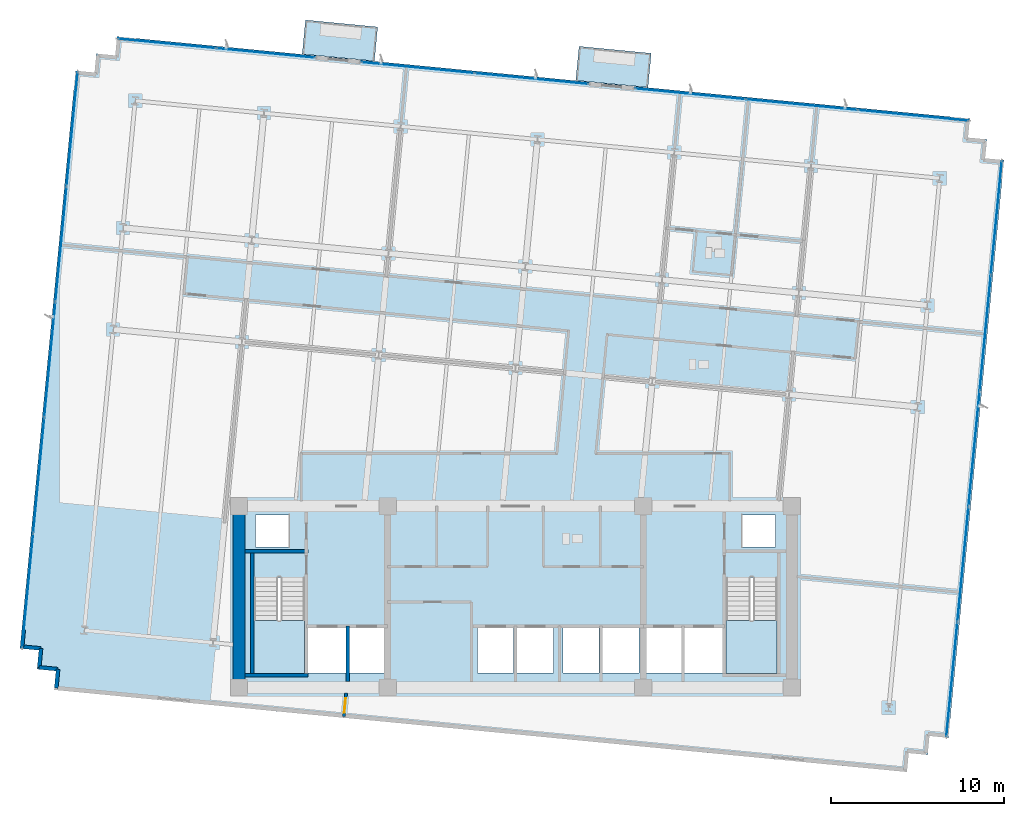
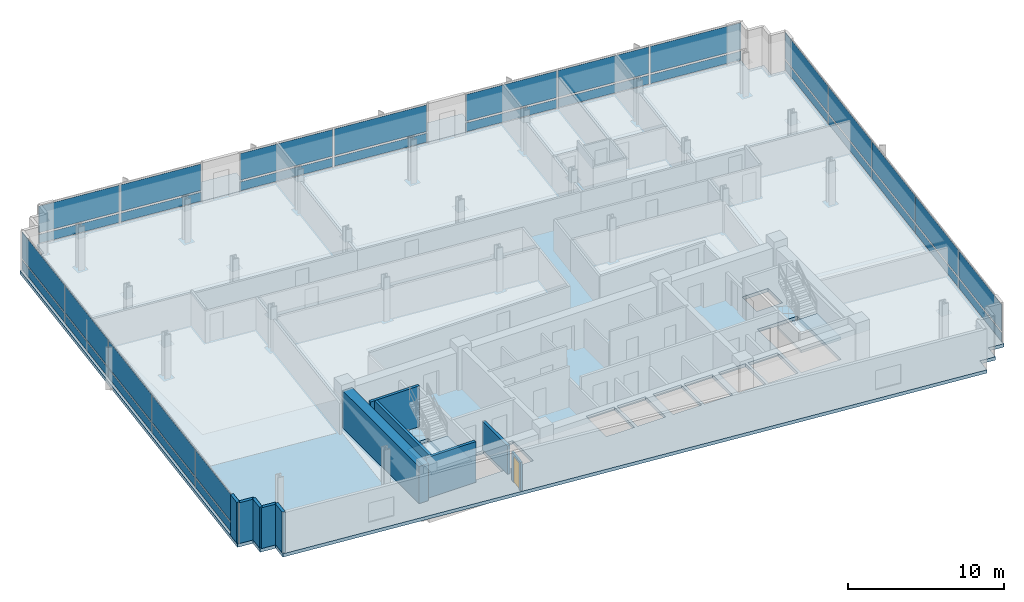
# One storey, part 9 of 16: 34 plates, 11 walls, 5 slabs, 1 door, 1 opening, 7 elements without a shape of their own.
"""IFC4 building model written with IfcOpenShell, lengths in metres."""

from ifc_helpers import new_model, si_unit, direction, frame, frame_2d, origin, origin_2d, place, context, subcontext, project, spatial, polyline, rectangle, outline, extrude, material, layer, layer_set, type_object, element, fill, aggregate, save


model = new_model("IFC4")

# Units and contexts
model_context = context("Model", 3, precision=1e-05, world=origin(), true_north=direction((0.0, 1.0)))
body_context = subcontext(model_context, "Body", "Model", "MODEL_VIEW")
ifc_project = project(units=[si_unit("LENGTHUNIT", "METRE"), si_unit("AREAUNIT", "SQUARE_METRE"), si_unit("VOLUMEUNIT", "CUBIC_METRE"), si_unit("PLANEANGLEUNIT", "RADIAN"), si_unit("MASSUNIT", "GRAM", prefix="KILO")], contexts=[model_context])

# Site, building, storey
site_placement = place(None, origin())
site = spatial("IfcSite", under=ifc_project, at=site_placement, CompositionType="ELEMENT")
building_placement = place(site_placement, origin())
building = spatial("IfcBuilding", under=site, at=building_placement, Name="Solmavex Isthmus Hotel", CompositionType="ELEMENT")
storey_placement = place(building_placement, frame((0.0, 0.0, 160.050048828125)))
storey = spatial("IfcBuildingStorey", under=building, at=storey_placement, Name="L43", CompositionType="ELEMENT", Elevation=160.050048828125)

# Curtain wall, plates
ifc_material_1 = material(Name="Aluminium alloy 6063-T6", Category="aluminium")
curtain_wall_type = type_object("IfcCurtainWallType", Name="CW-SYS-03", PredefinedType="NOTDEFINED", material=ifc_material_1)
curtain_wall_1_placement = place(storey_placement, origin())
curtain_wall_1 = element("IfcCurtainWall", 1, at=curtain_wall_1_placement, inside=storey, type_object=curtain_wall_type, Name="Stick Curtain Wall CWL-L43-N1", PredefinedType="NOTDEFINED")
ifc_material_2 = material(Name="Clear low-E laminated glass", Category="glass")
ifc_layer_1 = layer(ifc_material_2, 0.030029296875)
ifc_layer_set_1 = layer_set([ifc_layer_1], Name="Clear low-E laminated glass")
plate_type = type_object("IfcPlateType", Name="CW-SYS-03-PNL", PredefinedType="CURTAIN_PANEL", material=ifc_layer_set_1)
plate_1_placement = place(storey_placement, frame((-20.1806640625, 24.291259765625, 0.139892578125), z_axis=(0.0, 0.0, 1.0), x_axis=(0.995396220659, -0.095845521008, 0.0)))
plate_1 = element("IfcPlate", 2, at=plate_1_placement, type_object=plate_type, Name="CW-03 panel 1.1", PredefinedType="CURTAIN_PANEL", context=body_context, shape_type="SweptSolid", body=[
    extrude(rectangle(XDim=5.677978515625, YDim=0.030029296875, at=origin_2d()), origin(), (0.0, 0.0, 1.0), 0.68994140625),
])
plate_2_placement = place(storey_placement, frame((-20.1806640625, 24.291259765625, 0.969970703125), z_axis=(0.0, 0.0, 1.0), x_axis=(0.995396220659, -0.095845521008, 0.0)))
plate_2 = element("IfcPlate", 3, at=plate_2_placement, type_object=plate_type, Name="CW-03 panel 1.2", PredefinedType="CURTAIN_PANEL", context=body_context, shape_type="SweptSolid", body=[
    extrude(rectangle(XDim=5.677978515625, YDim=0.030029296875, at=origin_2d()), origin(), (0.0, 0.0, 1.0), 2.080078125),
])
plate_3_placement = place(storey_placement, frame((-14.459228515625, 23.740234375, 0.139892578125), z_axis=(0.0, 0.0, 1.0), x_axis=(0.995396220659, -0.095845521008, 0.0)))
plate_3 = element("IfcPlate", 4, at=plate_3_placement, type_object=plate_type, Name="CW-03 panel 2.1", PredefinedType="CURTAIN_PANEL", context=body_context, shape_type="SweptSolid", body=[
    extrude(rectangle(XDim=5.677978515625, YDim=0.030029296875, at=origin_2d()), origin(), (0.0, 0.0, 1.0), 0.68994140625),
])
plate_4_placement = place(storey_placement, frame((-14.459228515625, 23.740234375, 0.969970703125), z_axis=(0.0, 0.0, 1.0), x_axis=(0.995396220659, -0.095845521008, 0.0)))
plate_4 = element("IfcPlate", 5, at=plate_4_placement, type_object=plate_type, Name="CW-03 panel 2.2", PredefinedType="CURTAIN_PANEL", context=body_context, shape_type="SweptSolid", body=[
    extrude(rectangle(XDim=5.677978515625, YDim=0.030029296875, at=origin_2d()), origin(), (0.0, 0.0, 1.0), 2.080078125),
])
aggregate(curtain_wall_1, [plate_1, plate_2, plate_3, plate_4])

curtain_wall_2_placement = place(storey_placement, origin())
curtain_wall_2 = element("IfcCurtainWall", 6, at=curtain_wall_2_placement, inside=storey, type_object=curtain_wall_type, Name="Stick Curtain Wall CWL-L43-N2", PredefinedType="NOTDEFINED")
plate_5_placement = place(storey_placement, frame((-5.645263671875, 22.8916015625, 0.139892578125), z_axis=(0.0, 0.0, 1.0), x_axis=(0.995396257521, -0.095845138178, 0.0)))
plate_5 = element("IfcPlate", 7, at=plate_5_placement, type_object=plate_type, Name="CW-03 panel 1.1", PredefinedType="CURTAIN_PANEL", context=body_context, shape_type="SweptSolid", body=[
    extrude(rectangle(XDim=6.551025390625, YDim=0.030029296875, at=origin_2d()), origin(), (0.0, 0.0, 1.0), 0.68994140625),
])
plate_6_placement = place(storey_placement, frame((-5.645263671875, 22.8916015625, 0.969970703125), z_axis=(0.0, 0.0, 1.0), x_axis=(0.995396257521, -0.095845138178, 0.0)))
plate_6 = element("IfcPlate", 8, at=plate_6_placement, type_object=plate_type, Name="CW-03 panel 1.2", PredefinedType="CURTAIN_PANEL", context=body_context, shape_type="SweptSolid", body=[
    extrude(rectangle(XDim=6.551025390625, YDim=0.030029296875, at=origin_2d()), origin(), (0.0, 0.0, 1.0), 2.080078125),
])
plate_7_placement = place(storey_placement, frame((0.945068359375, 22.257080078125, 0.139892578125), z_axis=(0.0, 0.0, 1.0), x_axis=(0.995396257521, -0.095845138178, 0.0)))
plate_7 = element("IfcPlate", 9, at=plate_7_placement, type_object=plate_type, Name="CW-03 panel 2.1", PredefinedType="CURTAIN_PANEL", context=body_context, shape_type="SweptSolid", body=[
    extrude(rectangle(XDim=6.551025390625, YDim=0.030029296875, at=origin_2d()), origin(), (0.0, 0.0, 1.0), 0.68994140625),
])
plate_8_placement = place(storey_placement, frame((0.945068359375, 22.257080078125, 0.969970703125), z_axis=(0.0, 0.0, 1.0), x_axis=(0.995396257521, -0.095845138178, 0.0)))
plate_8 = element("IfcPlate", 10, at=plate_8_placement, type_object=plate_type, Name="CW-03 panel 2.2", PredefinedType="CURTAIN_PANEL", context=body_context, shape_type="SweptSolid", body=[
    extrude(rectangle(XDim=6.551025390625, YDim=0.030029296875, at=origin_2d()), origin(), (0.0, 0.0, 1.0), 2.080078125),
])
aggregate(curtain_wall_2, [plate_5, plate_6, plate_7, plate_8])

curtain_wall_3_placement = place(storey_placement, origin())
curtain_wall_3 = element("IfcCurtainWall", 11, at=curtain_wall_3_placement, inside=storey, type_object=curtain_wall_type, Name="Stick Curtain Wall CWL-L43-N3", PredefinedType="NOTDEFINED")
plate_9_placement = place(storey_placement, frame((10.119384765625, 21.373779296875, 0.139892578125), z_axis=(0.0, 0.0, 1.0), x_axis=(0.995396200025, -0.095845735304, 0.0)))
plate_9 = element("IfcPlate", 12, at=plate_9_placement, type_object=plate_type, Name="CW-03 panel 1.1", PredefinedType="CURTAIN_PANEL", context=body_context, shape_type="SweptSolid", body=[
    extrude(rectangle(XDim=6.40234375, YDim=0.030029296875, at=origin_2d()), origin(), (0.0, 0.0, 1.0), 0.68994140625),
])
plate_10_placement = place(storey_placement, frame((10.119384765625, 21.373779296875, 0.969970703125), z_axis=(0.0, 0.0, 1.0), x_axis=(0.995396200025, -0.095845735304, 0.0)))
plate_10 = element("IfcPlate", 13, at=plate_10_placement, type_object=plate_type, Name="CW-03 panel 1.2", PredefinedType="CURTAIN_PANEL", context=body_context, shape_type="SweptSolid", body=[
    extrude(rectangle(XDim=6.40234375, YDim=0.030029296875, at=origin_2d()), origin(), (0.0, 0.0, 1.0), 2.080078125),
])
plate_11_placement = place(storey_placement, frame((16.579345703125, 20.751708984375, 0.139892578125), z_axis=(0.0, 0.0, 1.0), x_axis=(0.995396200025, -0.095845735304, 0.0)))
plate_11 = element("IfcPlate", 14, at=plate_11_placement, type_object=plate_type, Name="CW-03 panel 2.1", PredefinedType="CURTAIN_PANEL", context=body_context, shape_type="SweptSolid", body=[
    extrude(rectangle(XDim=6.437255859375, YDim=0.030029296875, at=origin_2d()), origin(), (0.0, 0.0, 1.0), 0.68994140625),
])
plate_12_placement = place(storey_placement, frame((16.579345703125, 20.751708984375, 0.969970703125), z_axis=(0.0, 0.0, 1.0), x_axis=(0.995396200025, -0.095845735304, 0.0)))
plate_12 = element("IfcPlate", 15, at=plate_12_placement, type_object=plate_type, Name="CW-03 panel 2.2", PredefinedType="CURTAIN_PANEL", context=body_context, shape_type="SweptSolid", body=[
    extrude(rectangle(XDim=6.437255859375, YDim=0.030029296875, at=origin_2d()), origin(), (0.0, 0.0, 1.0), 2.080078125),
])
plate_13_placement = place(storey_placement, frame((23.039306640625, 20.129638671875, 0.139892578125), z_axis=(0.0, 0.0, 1.0), x_axis=(0.995396200025, -0.095845735304, 0.0)))
plate_13 = element("IfcPlate", 16, at=plate_13_placement, type_object=plate_type, Name="CW-03 panel 3.1", PredefinedType="CURTAIN_PANEL", context=body_context, shape_type="SweptSolid", body=[
    extrude(rectangle(XDim=6.40234375, YDim=0.030029296875, at=origin_2d()), origin(), (0.0, 0.0, 1.0), 0.68994140625),
])
plate_14_placement = place(storey_placement, frame((23.039306640625, 20.129638671875, 0.969970703125), z_axis=(0.0, 0.0, 1.0), x_axis=(0.995396200025, -0.095845735304, 0.0)))
plate_14 = element("IfcPlate", 17, at=plate_14_placement, type_object=plate_type, Name="CW-03 panel 3.2", PredefinedType="CURTAIN_PANEL", context=body_context, shape_type="SweptSolid", body=[
    extrude(rectangle(XDim=6.40234375, YDim=0.030029296875, at=origin_2d()), origin(), (0.0, 0.0, 1.0), 2.080078125),
])
aggregate(curtain_wall_3, [plate_9, plate_10, plate_11, plate_12, plate_13, plate_14])

curtain_wall_4_placement = place(storey_placement, origin())
curtain_wall_4 = element("IfcCurtainWall", 18, at=curtain_wall_4_placement, inside=storey, type_object=curtain_wall_type, Name="Stick Curtain Wall CWL-L43-W1", PredefinedType="NOTDEFINED")
plate_15_placement = place(storey_placement, frame((-28.24267578125, -7.38427734375, 0.139892578125), z_axis=(0.0, 0.0, 1.0), x_axis=(0.09584583902, 0.995396190038, 0.0)))
plate_15 = element("IfcPlate", 19, at=plate_15_placement, type_object=plate_type, Name="CW-03 panel 1.1", PredefinedType="CURTAIN_PANEL", context=body_context, shape_type="SweptSolid", body=[
    extrude(rectangle(XDim=6.614990234375, YDim=0.030029296875, at=origin_2d()), origin(), (0.0, 0.0, 1.0), 0.68994140625),
])
plate_16_placement = place(storey_placement, frame((-28.24267578125, -7.38427734375, 0.969970703125), z_axis=(0.0, 0.0, 1.0), x_axis=(0.09584583902, 0.995396190038, 0.0)))
plate_16 = element("IfcPlate", 20, at=plate_16_placement, type_object=plate_type, Name="CW-03 panel 1.2", PredefinedType="CURTAIN_PANEL", context=body_context, shape_type="SweptSolid", body=[
    extrude(rectangle(XDim=6.614990234375, YDim=0.030029296875, at=origin_2d()), origin(), (0.0, 0.0, 1.0), 2.080078125),
])
plate_17_placement = place(storey_placement, frame((-27.600341796875, -0.712646484375, 0.139892578125), z_axis=(0.0, 0.0, 1.0), x_axis=(0.09584583902, 0.995396190038, 0.0)))
plate_17 = element("IfcPlate", 21, at=plate_17_placement, type_object=plate_type, Name="CW-03 panel 2.1", PredefinedType="CURTAIN_PANEL", context=body_context, shape_type="SweptSolid", body=[
    extrude(rectangle(XDim=6.64990234375, YDim=0.030029296875, at=origin_2d()), origin(), (0.0, 0.0, 1.0), 0.68994140625),
])
plate_18_placement = place(storey_placement, frame((-27.600341796875, -0.712646484375, 0.969970703125), z_axis=(0.0, 0.0, 1.0), x_axis=(0.09584583902, 0.995396190038, 0.0)))
plate_18 = element("IfcPlate", 22, at=plate_18_placement, type_object=plate_type, Name="CW-03 panel 2.2", PredefinedType="CURTAIN_PANEL", context=body_context, shape_type="SweptSolid", body=[
    extrude(rectangle(XDim=6.64990234375, YDim=0.030029296875, at=origin_2d()), origin(), (0.0, 0.0, 1.0), 2.080078125),
])
plate_19_placement = place(storey_placement, frame((-26.956298828125, 5.976318359375, 0.139892578125), z_axis=(0.0, 0.0, 1.0), x_axis=(0.09584583902, 0.995396190038, 0.0)))
plate_19 = element("IfcPlate", 23, at=plate_19_placement, type_object=plate_type, Name="CW-03 panel 3.1", PredefinedType="CURTAIN_PANEL", context=body_context, shape_type="SweptSolid", body=[
    extrude(rectangle(XDim=6.64990234375, YDim=0.030029296875, at=origin_2d()), origin(), (0.0, 0.0, 1.0), 0.68994140625),
])
plate_20_placement = place(storey_placement, frame((-26.956298828125, 5.976318359375, 0.969970703125), z_axis=(0.0, 0.0, 1.0), x_axis=(0.09584583902, 0.995396190038, 0.0)))
plate_20 = element("IfcPlate", 24, at=plate_20_placement, type_object=plate_type, Name="CW-03 panel 3.2", PredefinedType="CURTAIN_PANEL", context=body_context, shape_type="SweptSolid", body=[
    extrude(rectangle(XDim=6.64990234375, YDim=0.030029296875, at=origin_2d()), origin(), (0.0, 0.0, 1.0), 2.080078125),
])
plate_21_placement = place(storey_placement, frame((-26.312255859375, 12.665283203125, 0.139892578125), z_axis=(0.0, 0.0, 1.0), x_axis=(0.09584583902, 0.995396190038, 0.0)))
plate_21 = element("IfcPlate", 25, at=plate_21_placement, type_object=plate_type, Name="CW-03 panel 4.1", PredefinedType="CURTAIN_PANEL", context=body_context, shape_type="SweptSolid", body=[
    extrude(rectangle(XDim=6.64990234375, YDim=0.030029296875, at=origin_2d()), origin(), (0.0, 0.0, 1.0), 0.68994140625),
])
plate_22_placement = place(storey_placement, frame((-26.312255859375, 12.665283203125, 0.969970703125), z_axis=(0.0, 0.0, 1.0), x_axis=(0.09584583902, 0.995396190038, 0.0)))
plate_22 = element("IfcPlate", 26, at=plate_22_placement, type_object=plate_type, Name="CW-03 panel 4.2", PredefinedType="CURTAIN_PANEL", context=body_context, shape_type="SweptSolid", body=[
    extrude(rectangle(XDim=6.64990234375, YDim=0.030029296875, at=origin_2d()), origin(), (0.0, 0.0, 1.0), 2.080078125),
])
plate_23_placement = place(storey_placement, frame((-25.669677734375, 19.337158203125, 0.139892578125), z_axis=(0.0, 0.0, 1.0), x_axis=(0.09584583902, 0.995396190038, 0.0)))
plate_23 = element("IfcPlate", 27, at=plate_23_placement, type_object=plate_type, Name="CW-03 panel 5.1", PredefinedType="CURTAIN_PANEL", context=body_context, shape_type="SweptSolid", body=[
    extrude(rectangle(XDim=6.614990234375, YDim=0.030029296875, at=origin_2d()), origin(), (0.0, 0.0, 1.0), 0.68994140625),
])
plate_24_placement = place(storey_placement, frame((-25.669677734375, 19.337158203125, 0.969970703125), z_axis=(0.0, 0.0, 1.0), x_axis=(0.09584583902, 0.995396190038, 0.0)))
plate_24 = element("IfcPlate", 28, at=plate_24_placement, type_object=plate_type, Name="CW-03 panel 5.2", PredefinedType="CURTAIN_PANEL", context=body_context, shape_type="SweptSolid", body=[
    extrude(rectangle(XDim=6.614990234375, YDim=0.030029296875, at=origin_2d()), origin(), (0.0, 0.0, 1.0), 2.080078125),
])
aggregate(curtain_wall_4, [plate_15, plate_16, plate_17, plate_18, plate_19, plate_20, plate_21, plate_22, plate_23, plate_24])

curtain_wall_5_placement = place(storey_placement, origin())
curtain_wall_5 = element("IfcCurtainWall", 29, at=curtain_wall_5_placement, inside=storey, type_object=curtain_wall_type, Name="Stick Curtain Wall CWL-L43-E1", PredefinedType="NOTDEFINED")
plate_25_placement = place(storey_placement, frame((25.269775390625, -12.537109375, 0.139892578125), z_axis=(0.0, 0.0, 1.0), x_axis=(0.09584583902, 0.995396190038, 0.0)))
plate_25 = element("IfcPlate", 30, at=plate_25_placement, type_object=plate_type, Name="CW-03 panel 1.1", PredefinedType="CURTAIN_PANEL", context=body_context, shape_type="SweptSolid", body=[
    extrude(rectangle(XDim=6.614990234375, YDim=0.030029296875, at=origin_2d()), origin(), (0.0, 0.0, 1.0), 0.68994140625),
])
plate_26_placement = place(storey_placement, frame((25.269775390625, -12.537109375, 0.969970703125), z_axis=(0.0, 0.0, 1.0), x_axis=(0.09584583902, 0.995396190038, 0.0)))
plate_26 = element("IfcPlate", 31, at=plate_26_placement, type_object=plate_type, Name="CW-03 panel 1.2", PredefinedType="CURTAIN_PANEL", context=body_context, shape_type="SweptSolid", body=[
    extrude(rectangle(XDim=6.614990234375, YDim=0.030029296875, at=origin_2d()), origin(), (0.0, 0.0, 1.0), 2.080078125),
])
plate_27_placement = place(storey_placement, frame((25.912109375, -5.865478515625, 0.139892578125), z_axis=(0.0, 0.0, 1.0), x_axis=(0.09584583902, 0.995396190038, 0.0)))
plate_27 = element("IfcPlate", 32, at=plate_27_placement, type_object=plate_type, Name="CW-03 panel 2.1", PredefinedType="CURTAIN_PANEL", context=body_context, shape_type="SweptSolid", body=[
    extrude(rectangle(XDim=6.64990234375, YDim=0.030029296875, at=origin_2d()), origin(), (0.0, 0.0, 1.0), 0.68994140625),
])
plate_28_placement = place(storey_placement, frame((25.912109375, -5.865478515625, 0.969970703125), z_axis=(0.0, 0.0, 1.0), x_axis=(0.09584583902, 0.995396190038, 0.0)))
plate_28 = element("IfcPlate", 33, at=plate_28_placement, type_object=plate_type, Name="CW-03 panel 2.2", PredefinedType="CURTAIN_PANEL", context=body_context, shape_type="SweptSolid", body=[
    extrude(rectangle(XDim=6.64990234375, YDim=0.030029296875, at=origin_2d()), origin(), (0.0, 0.0, 1.0), 2.080078125),
])
plate_29_placement = place(storey_placement, frame((26.55615234375, 0.82373046875, 0.139892578125), z_axis=(0.0, 0.0, 1.0), x_axis=(0.09584583902, 0.995396190038, 0.0)))
plate_29 = element("IfcPlate", 34, at=plate_29_placement, type_object=plate_type, Name="CW-03 panel 3.1", PredefinedType="CURTAIN_PANEL", context=body_context, shape_type="SweptSolid", body=[
    extrude(rectangle(XDim=6.64990234375, YDim=0.030029296875, at=origin_2d()), origin(), (0.0, 0.0, 1.0), 0.68994140625),
])
plate_30_placement = place(storey_placement, frame((26.55615234375, 0.82373046875, 0.969970703125), z_axis=(0.0, 0.0, 1.0), x_axis=(0.09584583902, 0.995396190038, 0.0)))
plate_30 = element("IfcPlate", 35, at=plate_30_placement, type_object=plate_type, Name="CW-03 panel 3.2", PredefinedType="CURTAIN_PANEL", context=body_context, shape_type="SweptSolid", body=[
    extrude(rectangle(XDim=6.64990234375, YDim=0.030029296875, at=origin_2d()), origin(), (0.0, 0.0, 1.0), 2.080078125),
])
plate_31_placement = place(storey_placement, frame((27.200439453125, 7.5126953125, 0.139892578125), z_axis=(0.0, 0.0, 1.0), x_axis=(0.09584583902, 0.995396190038, 0.0)))
plate_31 = element("IfcPlate", 36, at=plate_31_placement, type_object=plate_type, Name="CW-03 panel 4.1", PredefinedType="CURTAIN_PANEL", context=body_context, shape_type="SweptSolid", body=[
    extrude(rectangle(XDim=6.64990234375, YDim=0.030029296875, at=origin_2d()), origin(), (0.0, 0.0, 1.0), 0.68994140625),
])
plate_32_placement = place(storey_placement, frame((27.200439453125, 7.5126953125, 0.969970703125), z_axis=(0.0, 0.0, 1.0), x_axis=(0.09584583902, 0.995396190038, 0.0)))
plate_32 = element("IfcPlate", 37, at=plate_32_placement, type_object=plate_type, Name="CW-03 panel 4.2", PredefinedType="CURTAIN_PANEL", context=body_context, shape_type="SweptSolid", body=[
    extrude(rectangle(XDim=6.64990234375, YDim=0.030029296875, at=origin_2d()), origin(), (0.0, 0.0, 1.0), 2.080078125),
])
plate_33_placement = place(storey_placement, frame((27.8427734375, 14.184326171875, 0.139892578125), z_axis=(0.0, 0.0, 1.0), x_axis=(0.09584583902, 0.995396190038, 0.0)))
plate_33 = element("IfcPlate", 38, at=plate_33_placement, type_object=plate_type, Name="CW-03 panel 5.1", PredefinedType="CURTAIN_PANEL", context=body_context, shape_type="SweptSolid", body=[
    extrude(rectangle(XDim=6.614990234375, YDim=0.030029296875, at=origin_2d()), origin(), (0.0, 0.0, 1.0), 0.68994140625),
])
plate_34_placement = place(storey_placement, frame((27.8427734375, 14.184326171875, 0.969970703125), z_axis=(0.0, 0.0, 1.0), x_axis=(0.09584583902, 0.995396190038, 0.0)))
plate_34 = element("IfcPlate", 39, at=plate_34_placement, type_object=plate_type, Name="CW-03 panel 5.2", PredefinedType="CURTAIN_PANEL", context=body_context, shape_type="SweptSolid", body=[
    extrude(rectangle(XDim=6.614990234375, YDim=0.030029296875, at=origin_2d()), origin(), (0.0, 0.0, 1.0), 2.080078125),
])
aggregate(curtain_wall_5, [plate_25, plate_26, plate_27, plate_28, plate_29, plate_30, plate_31, plate_32, plate_33, plate_34])

# Slabs
ifc_material_3 = material(Name="Concrete C40/50", Category="concrete")
ifc_layer_2 = layer(ifc_material_3, 0.239990234375)
ifc_layer_set_2 = layer_set([ifc_layer_2], Name="Concrete C40/50")
slab_type_1 = type_object("IfcSlabType", Name="SLAB-BALC-240", PredefinedType="FLOOR", material=ifc_layer_set_2)
slab_1_placement = place(storey_placement, frame((0.0, 0.0, -0.239990234375)))
element("IfcSlab", 40, at=slab_1_placement, inside=storey, type_object=slab_type_1, Name="Tree-Planter Balcony Slab L43-B1", PredefinedType="FLOOR", context=body_context, shape_type="SweptSolid", body=[
    extrude(outline(polyline([(-12.346923828125, 23.672607421875), (-8.166259765625, 23.27001953125), (-7.97607421875, 25.245849609375), (-12.15673828125, 25.6484375), (-12.346923828125, 23.672607421875)])), origin(), (0.0, 0.0, 1.0), 0.239990234375),
])
slab_2_placement = place(storey_placement, frame((0.0, 0.0, -0.239990234375)))
element("IfcSlab", 41, at=slab_2_placement, inside=storey, type_object=slab_type_1, Name="Tree-Planter Balcony Slab L43-B2", PredefinedType="FLOOR", context=body_context, shape_type="SweptSolid", body=[
    extrude(outline(polyline([(3.491943359375, 22.1474609375), (7.672607421875, 21.744873046875), (7.86279296875, 23.720703125), (3.68212890625, 24.123291015625), (3.491943359375, 22.1474609375)])), origin(), (0.0, 0.0, 1.0), 0.239990234375),
])
ifc_layer_3 = layer(ifc_material_3, 0.260009765625)
ifc_layer_set_3 = layer_set([ifc_layer_3], Name="Concrete C40/50")
slab_type_2 = type_object("IfcSlabType", Name="SLAB-TYP-260", PredefinedType="FLOOR", material=ifc_layer_set_3)
slab_3_placement = place(storey_placement, frame((0.0, 0.0, -0.260009765625)))
element("IfcSlab", 42, at=slab_3_placement, inside=storey, type_object=slab_type_2, Name="Tower Structural Floor Slab L43", PredefinedType="FLOOR", context=body_context, shape_type="SweptSolid", body=[
    extrude(outline(polyline([(-25.612060546875, -13.240966796875), (21.56982421875, -17.7841796875), (22.664794921875, -17.889404296875), (22.770263671875, -16.794677734375), (23.865234375, -16.89990234375), (23.970458984375, -15.80517578125), (25.0654296875, -15.910400390625), (25.1708984375, -14.815673828125), (28.180419921875, 16.43994140625), (28.285888671875, 17.534912109375), (27.19091796875, 17.64013671875), (27.29638671875, 18.735107421875), (26.201416015625, 18.840576171875), (26.306884765625, 19.935546875), (25.2119140625, 20.041015625), (-21.9697265625, 24.583984375), (-23.064697265625, 24.689453125), (-23.170166015625, 23.594482421875), (-24.26513671875, 23.699951171875), (-24.37060546875, 22.60498046875), (-25.465576171875, 22.71044921875), (-25.57080078125, 21.615478515625), (-28.58056640625, -9.639892578125), (-28.685791015625, -10.73486328125), (-27.591064453125, -10.84033203125), (-27.6962890625, -11.935302734375), (-26.6015625, -12.04052734375), (-26.706787109375, -13.135498046875), (-25.612060546875, -13.240966796875)]), holes=[polyline([(-15.14990234375, -6.617919921875), (-15.14990234375, -12.199951171875), (-12.199951171875, -12.199951171875), (-12.199951171875, -6.617919921875), (-15.14990234375, -6.617919921875)]), polyline([(12.199951171875, -6.617919921875), (12.199951171875, -12.199951171875), (15.14990234375, -12.199951171875), (15.14990234375, -6.617919921875), (12.199951171875, -6.617919921875)]), polyline([(-12.0, -12.14990234375), (-9.800048828125, -12.14990234375), (-9.800048828125, -9.550048828125), (-12.0, -9.550048828125), (-12.0, -12.14990234375)]), polyline([(9.800048828125, -12.14990234375), (12.0, -12.14990234375), (12.0, -9.550048828125), (9.800048828125, -9.550048828125), (9.800048828125, -12.14990234375)]), polyline([(-9.60009765625, -12.14990234375), (-7.60009765625, -12.14990234375), (-7.60009765625, -9.550048828125), (-9.60009765625, -9.550048828125), (-9.60009765625, -12.14990234375)]), polyline([(7.60009765625, -12.14990234375), (9.60009765625, -12.14990234375), (9.60009765625, -9.550048828125), (7.60009765625, -9.550048828125), (7.60009765625, -12.14990234375)]), polyline([(-2.199951171875, -12.14990234375), (-0.10009765625, -12.14990234375), (-0.10009765625, -9.550048828125), (-2.199951171875, -9.550048828125), (-2.199951171875, -12.14990234375)]), polyline([(0.10009765625, -12.14990234375), (2.199951171875, -12.14990234375), (2.199951171875, -9.550048828125), (0.10009765625, -9.550048828125), (0.10009765625, -12.14990234375)]), polyline([(2.75, -12.14990234375), (4.85009765625, -12.14990234375), (4.85009765625, -9.550048828125), (2.75, -9.550048828125), (2.75, -12.14990234375)]), polyline([(5.050048828125, -12.14990234375), (7.14990234375, -12.14990234375), (7.14990234375, -9.550048828125), (5.050048828125, -9.550048828125), (5.050048828125, -12.14990234375)]), polyline([(-15.050048828125, -4.85009765625), (-13.14990234375, -4.85009765625), (-13.14990234375, -3.0), (-15.050048828125, -3.0), (-15.050048828125, -4.85009765625)]), polyline([(13.14990234375, -4.85009765625), (15.050048828125, -4.85009765625), (15.050048828125, -3.0), (13.14990234375, -3.0), (13.14990234375, -4.85009765625)])]), origin(), (0.0, 0.0, 1.0), 0.260009765625),
])

# Stair, slab
stair_type_1 = type_object("IfcStairType", Name="STR-ST-1", PredefinedType="HALF_TURN_STAIR", material=ifc_material_3)
stair_1_placement = place(storey_placement, origin())
stair_1 = element("IfcStair", 43, at=stair_1_placement, inside=storey, type_object=stair_type_1, Name="L43 Protected Exit Stair ST-1", PredefinedType="HALF_TURN_STAIR")
ifc_layer_4 = layer(ifc_material_3, 0.219970703125)
ifc_layer_set_4 = layer_set([ifc_layer_4], Name="Concrete C40/50")
slab_type_3 = type_object("IfcSlabType", Name="SLD-ST-1", PredefinedType="LANDING", material=ifc_layer_set_4)
slab_4_placement = place(storey_placement, frame((0.0, 0.0, 1.52490234375)))
slab_4 = element("IfcSlab", 44, at=slab_4_placement, type_object=slab_type_3, Name="ST-1 landing 1", PredefinedType="LANDING", context=body_context, shape_type="SweptSolid", body=[
    extrude(outline(polyline([(-15.14990234375, -9.1201171875), (-15.14990234375, -12.199951171875), (-12.199951171875, -12.199951171875), (-12.199951171875, -9.1201171875), (-15.14990234375, -9.1201171875)])), origin(), (0.0, 0.0, 1.0), 0.199951171875),
])
aggregate(stair_1, [slab_4])

stair_type_2 = type_object("IfcStairType", Name="STR-ST-2", PredefinedType="HALF_TURN_STAIR", material=ifc_material_3)
stair_2_placement = place(storey_placement, origin())
stair_2 = element("IfcStair", 45, at=stair_2_placement, inside=storey, type_object=stair_type_2, Name="L43 Protected Exit Stair ST-2", PredefinedType="HALF_TURN_STAIR")
ifc_layer_5 = layer(ifc_material_3, 0.219970703125)
ifc_layer_set_5 = layer_set([ifc_layer_5], Name="Concrete C40/50")
slab_type_4 = type_object("IfcSlabType", Name="SLD-ST-2", PredefinedType="LANDING", material=ifc_layer_set_5)
slab_5_placement = place(storey_placement, frame((0.0, 0.0, 1.52490234375)))
slab_5 = element("IfcSlab", 46, at=slab_5_placement, type_object=slab_type_4, Name="ST-2 landing 1", PredefinedType="LANDING", context=body_context, shape_type="SweptSolid", body=[
    extrude(outline(polyline([(12.199951171875, -9.1201171875), (12.199951171875, -12.199951171875), (15.14990234375, -12.199951171875), (15.14990234375, -9.1201171875), (12.199951171875, -9.1201171875)])), origin(), (0.0, 0.0, 1.0), 0.199951171875),
])
aggregate(stair_2, [slab_5])

# Walls
ifc_material_4 = material(Name="Precast Concrete C40/50", Category="concrete")
ifc_layer_6 = layer(ifc_material_4, 0.25)
ifc_layer_set_6 = layer_set([ifc_layer_6], Name="Precast Concrete C40/50")
wall_type_1 = type_object("IfcWallType", Name="EW-TWR-250", PredefinedType="STANDARD", material=ifc_layer_set_6)
for number, where, z_axis, x_axis, name in (
    (47, (-26.5869140625, -13.03662109375, 0.0), (0.0, 0.0, 1.0), (0.095877334176, 0.995393156894, 0.0), "Serrated Corner Facade Panel L43-01"),
    (48, (-26.4814453125, -11.941650390625, 0.0), (0.0, 0.0, 1.0), (-0.995393156894, 0.095877334176, 0.0), "Serrated Corner Facade Panel L43-02"),
    (49, (-27.576416015625, -11.836181640625, 0.0), (0.0, 0.0, 1.0), (0.095877334176, 0.995393156894, 0.0), "Serrated Corner Facade Panel L43-03"),
    (50, (-27.470947265625, -10.7412109375, 0.0), (0.0, 0.0, 1.0), (-0.995414313875, 0.095657429048, 0.0), "Serrated Corner Facade Panel L43-04"),
):
    element("IfcWall", number, at=place(storey_placement, frame(where, z_axis=z_axis, x_axis=x_axis)), inside=storey, type_object=wall_type_1, Name=name, PredefinedType="STANDARD", context=body_context, shape_type="SweptSolid", body=[
        extrude(rectangle(XDim=1.10009765625, YDim=0.219970703125, at=frame_2d((0.550048828125, 0.0))), origin(), (0.0, 0.0, 1.0), 3.18994140625),
    ])
wall_1_placement = place(storey_placement, frame((-28.56591796875, -10.635986328125, 0.0), z_axis=(0.0, 0.0, 1.0), x_axis=(0.095914428506, 0.995389583231, 0.0)))
element("IfcWall", 51, at=wall_1_placement, inside=storey, type_object=wall_type_1, Name="Serrated Corner Facade Panel L43-05", PredefinedType="STANDARD", context=body_context, shape_type="SweptSolid", body=[
    extrude(rectangle(XDim=0.990234375, YDim=0.219970703125, at=frame_2d((0.4951171875, 0.0))), origin(), (0.0, 0.0, 1.0), 3.18994140625),
])

# Wall, opening, door
ifc_material_5 = material(Name="Gypsum plasterboard lining", Category="gypsum")
ifc_layer_7 = layer(ifc_material_5, 0.159912109375)
ifc_layer_set_7 = layer_set([ifc_layer_7], Name="Gypsum plasterboard lining")
wall_type_2 = type_object("IfcWallType", Name="IW-COMP-160", PredefinedType="PARTITIONING", material=ifc_layer_set_7)
wall_2_placement = place(storey_placement, frame((-9.8017578125, -13.31005859375, 0.0), z_axis=(0.0, 0.0, 1.0), x_axis=(-0.095930256126, -0.995388057975, 0.0)))
wall_2 = element("IfcWall", 52, at=wall_2_placement, inside=storey, type_object=wall_type_2, Name="Interior Partition Wall W-L43-P048", PredefinedType="PARTITIONING", context=body_context, shape_type="SweptSolid", body=[
    extrude(rectangle(XDim=1.36669921875, YDim=0.159912109375, at=frame_2d((0.683349609375, 0.0))), origin(), (0.0, 0.0, 1.0), 2.224853515625),
])
opening_placement = place(wall_2_placement, frame((0.306396484375, 0.0, 0.0)))
opening = element("IfcOpeningElement", 53, at=opening_placement, cuts=wall_2, Name="Opening ID-R085", PredefinedType="OPENING", context=body_context, shape_type="SweptSolid", body=[
    extrude(rectangle(XDim=0.85009765625, YDim=2.050048828125, at=frame_2d((0.425048828125, 1.02490234375))), frame((0.0, 0.08984375, 0.0), z_axis=(0.0, -1.0, 0.0), x_axis=(1.0, 0.0, 0.0)), (0.0, 0.0, 1.0), 0.179931640625),
])
ifc_material_6 = material(Name="Steel ASTM A500 Grade C", Category="steel")
door_type = type_object("IfcDoorType", Name="IDR-FD60-0850", OperationType="NOTDEFINED", PredefinedType="DOOR", material=ifc_material_6)
door_placement = place(opening_placement, frame((0.85009765625, 0.0, 0.0), z_axis=(0.0, 0.0, 1.0), x_axis=(-1.0, 0.0, 0.0)))
door = element("IfcDoor", 54, at=door_placement, inside=storey, type_object=door_type, Name="Corporate Briefing Office Door L43-14", OperationType="SINGLE_SWING_RIGHT", OverallHeight=2.050048828125, OverallWidth=0.85009765625, PredefinedType="DOOR", context=body_context, shape_type="SweptSolid", body=[
    extrude(rectangle(XDim=0.85009765625, YDim=2.050048828125, at=frame_2d((0.425048828125, 1.02490234375))), frame((0.0, 0.02490234375, 0.0), z_axis=(0.0, -1.0, 0.0), x_axis=(1.0, 0.0, 0.0)), (0.0, 0.0, 1.0), 0.050048828125),
])
fill(opening, door)

# Walls
ifc_layer_8 = layer(ifc_material_3, 0.199951171875)
ifc_layer_set_8 = layer_set([ifc_layer_8], Name="Concrete C40/50")
wall_type_3 = type_object("IfcWallType", Name="IW-SHAFT-200", PredefinedType="PARTITIONING", material=ifc_layer_set_8)
wall_3_placement = place(storey_placement, frame((-9.699951171875, -12.64990234375, 0.0), z_axis=(0.0, 0.0, 1.0), x_axis=(0.0, 1.0, 0.0)))
element("IfcWall", 55, at=wall_3_placement, inside=storey, type_object=wall_type_3, Name="Interior Partition Wall W-L43-FFLW-M", PredefinedType="PARTITIONING", context=body_context, shape_type="SweptSolid", body=[
    extrude(rectangle(XDim=3.199951171875, YDim=0.199951171875, at=frame_2d((1.60009765625, 0.0))), origin(), (0.0, 0.0, 1.0), 2.224853515625),
])
ifc_material_7 = material(Name="Concrete C60/75", Category="concrete")
ifc_layer_9 = layer(ifc_material_7, 0.699951171875)
ifc_layer_set_9 = layer_set([ifc_layer_9], Name="Concrete C60/75")
wall_type_4 = type_object("IfcWallType", Name="WALL-CW-700", PredefinedType="SHEAR", material=ifc_layer_set_9)
wall_4_placement = place(storey_placement, frame((-16.0, -12.64990234375, 0.0), z_axis=(0.0, 0.0, 1.0), x_axis=(0.0, 1.0, 0.0)))
element("IfcWall", 56, at=wall_4_placement, inside=storey, type_object=wall_type_4, Name="Core Shear Wall West L43", PredefinedType="SHEAR", context=body_context, shape_type="SweptSolid", body=[
    extrude(rectangle(XDim=9.7998046875, YDim=0.699951171875, at=frame_2d((4.89990234375, 0.0))), origin(), (0.0, 0.0, 1.0), 2.909912109375),
])
ifc_layer_10 = layer(ifc_material_3, 0.199951171875)
ifc_layer_set_10 = layer_set([ifc_layer_10], Name="Concrete C40/50")
wall_type_5 = type_object("IfcWallType", Name="WALL-SW-200", PredefinedType="SOLIDWALL", material=ifc_layer_set_10)
for number, where, z_axis, x_axis, name in (
    (57, (-15.64990234375, -12.300048828125, 0.0), (0.0, 0.0, 1.0), (1.0, 0.0, 0.0), "Stairwell Structural Wall SW-L43-ST1-S"),
    (58, (-15.64990234375, -5.10009765625, 0.0), (0.0, 0.0, 1.0), (1.0, 0.0, 0.0), "Stairwell Structural Wall SW-L43-ST1-N"),
):
    element("IfcWall", number, at=place(storey_placement, frame(where, z_axis=z_axis, x_axis=x_axis)), inside=storey, type_object=wall_type_5, Name=name, PredefinedType="SOLIDWALL", context=body_context, shape_type="SweptSolid", body=[
        extrude(rectangle(XDim=3.64990234375, YDim=0.199951171875, at=frame_2d((1.824951171875, 0.0))), origin(), (0.0, 0.0, 1.0), 3.18994140625),
    ])
wall_5_placement = place(storey_placement, frame((-15.25, -12.199951171875, 0.0), z_axis=(0.0, 0.0, 1.0), x_axis=(0.0, 1.0, 0.0)))
element("IfcWall", 59, at=wall_5_placement, inside=storey, type_object=wall_type_5, Name="Stairwell Structural Wall SW-L43-ST1-W", PredefinedType="SOLIDWALL", context=body_context, shape_type="SweptSolid", body=[
    extrude(rectangle(XDim=7.0, YDim=0.199951171875, at=frame_2d((3.5, 0.0))), origin(), (0.0, 0.0, 1.0), 3.18994140625),
])

save(model, "model.ifc")
